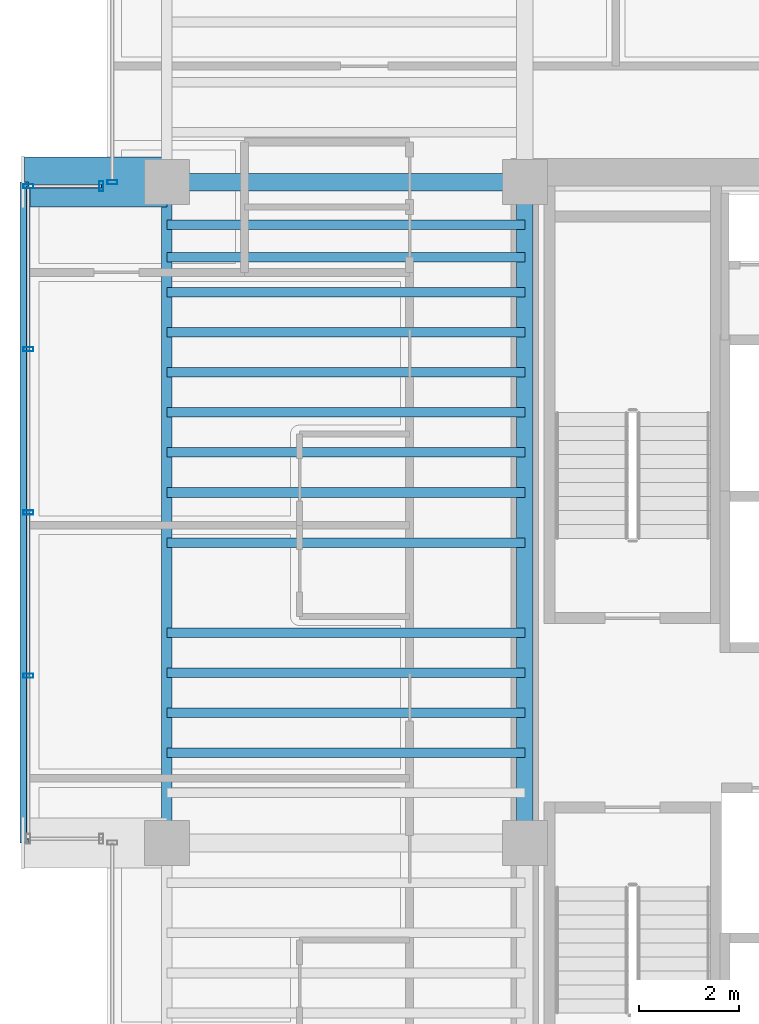
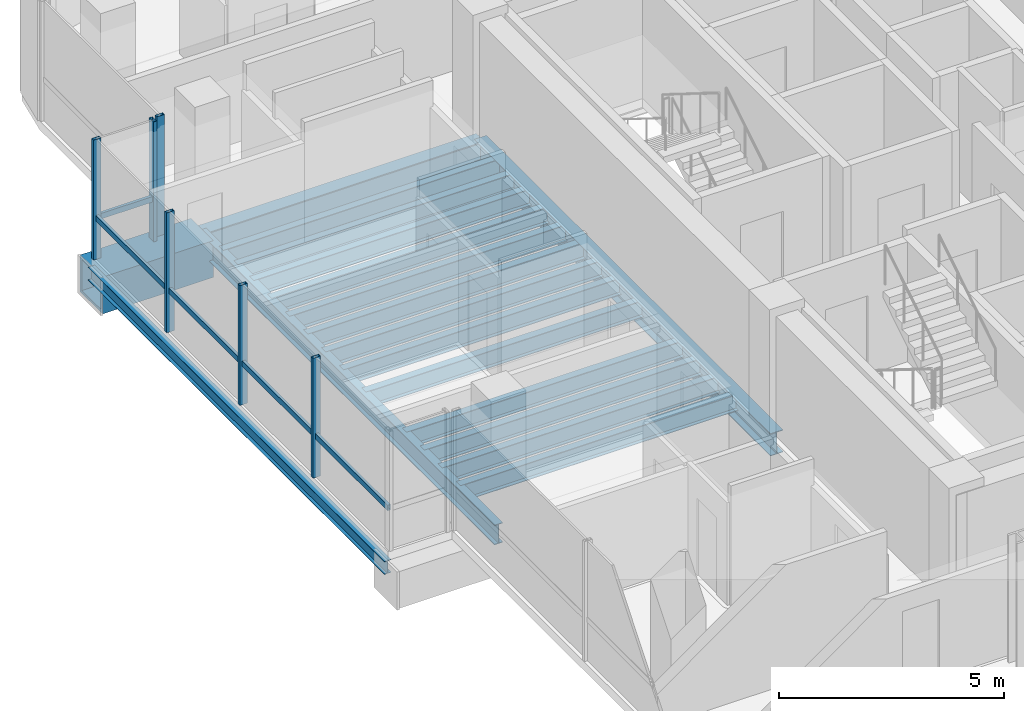
# One storey, part 7 of 22: 18 beams, 8 members, 3 elements without a shape of their own.
"""IFC4 building model written with IfcOpenShell, lengths in metres."""

from ifc_helpers import new_model, si_unit, direction, frame, origin, origin_2d, place, context, subcontext, project, spatial, hollow_rectangle, i_section, extrude, source, transform, mapped, material, material_profile, profile_set, type_object, element, aggregate, save


model = new_model("IFC4")

# Units and contexts
model_context = context("Model", 3, precision=1e-05, world=origin(), true_north=direction((0.0, 1.0)))
body_context = subcontext(model_context, "Body", "Model", "MODEL_VIEW")
ifc_project = project(units=[si_unit("LENGTHUNIT", "METRE"), si_unit("AREAUNIT", "SQUARE_METRE"), si_unit("VOLUMEUNIT", "CUBIC_METRE"), si_unit("PLANEANGLEUNIT", "RADIAN"), si_unit("MASSUNIT", "GRAM", prefix="KILO")], contexts=[model_context])

# Site, building, storey
site_placement = place(None, origin())
site = spatial("IfcSite", under=ifc_project, at=site_placement, CompositionType="ELEMENT")
building_placement = place(site_placement, origin())
building = spatial("IfcBuilding", under=site, at=building_placement, Name="Valdorenza Pilgrim Sanctuary Tower", CompositionType="ELEMENT")
storey_placement = place(building_placement, frame((0.0, 0.0, 212.5)))
storey = spatial("IfcBuildingStorey", under=building, at=storey_placement, Name="L54", CompositionType="ELEMENT", Elevation=212.5)

# Beams
ifc_material_1 = material(Name="Steel ASTM A992 Grade 50", Category="steel")
ifc_material_profile_1 = material_profile(ifc_material_1, i_section(OverallWidth=0.323974609375, OverallDepth=0.611083984375, WebThickness=0.0126953125, FlangeThickness=0.01904296875, at=origin_2d()), Name="W24X104")
ifc_profile_set_1 = profile_set([ifc_material_profile_1], Name="Steel ASTM A992 Grade 50")
beam_type_1 = type_object("IfcBeamType", Name="STR-BM-GRD-W24B", PredefinedType="BEAM", material=ifc_profile_set_1)
shared_shape_1 = source(origin(), body_context, "Body", "SweptSolid", [
    extrude(i_section(OverallWidth=0.323974609375, OverallDepth=0.611083984375, WebThickness=0.0126953125, FlangeThickness=0.01904296875, at=origin_2d()), origin(), (0.0, 0.0, 1.0), 13.2001953125),
])
beam_1_placement = place(storey_placement, frame((-22.64990234375, -2.60009765625, -0.54541015625), z_axis=(0.0, 1.0, 0.0), x_axis=(-1.0, 0.0, 0.0)))
element("IfcBeam", 1, at=beam_1_placement, inside=storey, type_object=beam_type_1, Name="L54 Core Tie Girder CA-W-M0N1", PredefinedType="BEAM", context=body_context, shape_type="MappedRepresentation", body=[
    mapped(shared_shape_1, transform((0.0, 0.0, 0.0), x_axis=(1.0, 0.0, 0.0), y_axis=(0.0, 1.0, 0.0), z_axis=(0.0, 0.0, 1.0), scale=1.0)),
])
ifc_material_profile_2 = material_profile(ifc_material_1, i_section(OverallWidth=0.1708984375, OverallDepth=0.35107421875, WebThickness=0.0068359375, FlangeThickness=0.009765625, at=origin_2d()), Name="W14X30")
ifc_profile_set_2 = profile_set([ifc_material_profile_2], Name="Steel ASTM A992 Grade 50")
beam_type_2 = type_object("IfcBeamType", Name="STR-BM-BOX-W14", PredefinedType="BEAM", material=ifc_profile_set_2)
shared_shape_2 = source(origin(), body_context, "Body", "SweptSolid", [
    extrude(i_section(OverallWidth=0.1708984375, OverallDepth=0.35107421875, WebThickness=0.0068359375, FlangeThickness=0.009765625, at=origin_2d()), origin(), (0.0, 0.0, 1.0), 13.2001953125),
])
beam_2_placement = place(storey_placement, frame((-32.64990234375, -2.60009765625, -0.41552734375), z_axis=(0.0, 1.0, 0.0), x_axis=(-1.0, 0.0, 0.0)))
element("IfcBeam", 2, at=beam_2_placement, inside=storey, type_object=beam_type_2, Name="L54 Glass Box Edge Beam BOX-WA-L54-F", PredefinedType="BEAM", context=body_context, shape_type="MappedRepresentation", body=[
    mapped(shared_shape_2, transform((0.0, 0.0, 0.0), x_axis=(1.0, 0.0, 0.0), y_axis=(0.0, 1.0, 0.0), z_axis=(0.0, 0.0, 1.0), scale=1.0)),
])
ifc_material_profile_3 = material_profile(ifc_material_1, i_section(OverallWidth=0.19091796875, OverallDepth=0.45703125, WebThickness=0.009033203125, FlangeThickness=0.014404296875, at=origin_2d()), Name="W18X50")
ifc_profile_set_3 = profile_set([ifc_material_profile_3], Name="Steel ASTM A992 Grade 50")
beam_type_3 = type_object("IfcBeamType", Name="STR-BM-JST-W18B", PredefinedType="JOIST", material=ifc_profile_set_3)
shared_shape_3 = source(origin(), body_context, "Body", "SweptSolid", [
    extrude(i_section(OverallWidth=0.19091796875, OverallDepth=0.45703125, WebThickness=0.009033203125, FlangeThickness=0.014404296875, at=origin_2d()), origin(), (0.0, 0.0, 1.0), 7.150146484375),
])
for number, where, z_axis, x_axis, name in (
    (3, (-29.800048828125, -0.800048828125, -0.468505859375), (1.0, 0.0, 0.0), (0.0, 1.0, 0.0), "L54 Composite Floor Joist JST-WA-11"),
    (4, (-29.800048828125, 0.0, -0.468505859375), (1.0, 0.0, 0.0), (0.0, 1.0, 0.0), "L54 Composite Floor Joist JST-WA-12"),
    (5, (-29.800048828125, 0.800048828125, -0.468505859375), (1.0, 0.0, 0.0), (0.0, 1.0, 0.0), "L54 Composite Floor Joist JST-WA-13"),
    (6, (-29.800048828125, 1.60009765625, -0.468505859375), (1.0, 0.0, 0.0), (0.0, 1.0, 0.0), "L54 Composite Floor Joist JST-WA-14"),
    (7, (-29.800048828125, 3.39990234375, -0.468505859375), (1.0, 0.0, 0.0), (0.0, 1.0, 0.0), "L54 Composite Floor Joist JST-WA-15"),
    (8, (-29.800048828125, 4.39990234375, -0.468505859375), (1.0, 0.0, 0.0), (0.0, 1.0, 0.0), "L54 Composite Floor Joist JST-WA-16"),
    (9, (-29.800048828125, 5.199951171875, -0.468505859375), (1.0, 0.0, 0.0), (0.0, 1.0, 0.0), "L54 Composite Floor Joist JST-WA-17"),
    (10, (-29.800048828125, 6.0, -0.468505859375), (1.0, 0.0, 0.0), (0.0, 1.0, 0.0), "L54 Composite Floor Joist JST-WA-18"),
    (11, (-29.800048828125, 6.800048828125, -0.468505859375), (1.0, 0.0, 0.0), (0.0, 1.0, 0.0), "L54 Composite Floor Joist JST-WA-19"),
    (12, (-29.800048828125, 7.60009765625, -0.468505859375), (1.0, 0.0, 0.0), (0.0, 1.0, 0.0), "L54 Composite Floor Joist JST-WA-20"),
    (13, (-29.800048828125, 8.39990234375, -0.468505859375), (1.0, 0.0, 0.0), (0.0, 1.0, 0.0), "L54 Composite Floor Joist JST-WA-21"),
    (14, (-29.800048828125, 9.10009765625, -0.468505859375), (1.0, 0.0, 0.0), (0.0, 1.0, 0.0), "L54 Composite Floor Joist JST-WA-22"),
    (15, (-29.800048828125, 9.75, -0.468505859375), (1.0, 0.0, 0.0), (0.0, 1.0, 0.0), "L54 Composite Floor Joist JST-WA-23"),
):
    element("IfcBeam", number, at=place(storey_placement, frame(where, z_axis=z_axis, x_axis=x_axis)), inside=storey, type_object=beam_type_3, Name=name, PredefinedType="JOIST", context=body_context, shape_type="MappedRepresentation", body=[
        mapped(shared_shape_3, transform((0.0, 0.0, 0.0), x_axis=(1.0, 0.0, 0.0), y_axis=(0.0, 1.0, 0.0), z_axis=(0.0, 0.0, 1.0), scale=1.0)),
    ])
ifc_material_2 = material(Name="Steel ASTM A572 Grade 42", Category="steel")
ifc_material_profile_4 = material_profile(ifc_material_2, hollow_rectangle(XDim=1.0, YDim=1.0, WallThickness=0.080078125, at=origin_2d()), Name="BOX 1000x1000x80")
ifc_profile_set_4 = profile_set([ifc_material_profile_4], Name="Steel ASTM A572 Grade 42")
beam_type_4 = type_object("IfcBeamType", Name="STR-BM-PROW-CANT", PredefinedType="BEAM", material=ifc_profile_set_4)
shared_shape_4 = source(origin(), body_context, "Body", "SweptSolid", [
    extrude(hollow_rectangle(XDim=1.0, YDim=1.0, WallThickness=0.080078125, at=origin_2d()), origin(), (0.0, 0.0, 1.0), 2.849853515625),
])
beam_3_placement = place(storey_placement, frame((-29.800048828125, 10.60009765625, -0.739990234375), z_axis=(-1.0, 0.0, 0.0), x_axis=(0.0, -1.0, 0.0)))
element("IfcBeam", 16, at=beam_3_placement, inside=storey, type_object=beam_type_4, Name="L54 Glass Box Cantilever Beam BOX-WA-L54-CT-N", PredefinedType="BEAM", context=body_context, shape_type="MappedRepresentation", body=[
    mapped(shared_shape_4, transform((0.0, 0.0, 0.0), x_axis=(1.0, 0.0, 0.0), y_axis=(0.0, 1.0, 0.0), z_axis=(0.0, 0.0, 1.0), scale=1.0)),
])
ifc_material_profile_5 = material_profile(ifc_material_1, i_section(OverallWidth=0.2109375, OverallDepth=0.5390625, WebThickness=0.01171875, FlangeThickness=0.018798828125, at=origin_2d()), Name="W21X73")
ifc_profile_set_5 = profile_set([ifc_material_profile_5], Name="Steel ASTM A992 Grade 50")
beam_type_5 = type_object("IfcBeamType", Name="STR-BM-SPN-W21B", PredefinedType="SPANDREL", material=ifc_profile_set_5)
shared_shape_5 = source(origin(), body_context, "Body", "SweptSolid", [
    extrude(i_section(OverallWidth=0.2109375, OverallDepth=0.5390625, WebThickness=0.01171875, FlangeThickness=0.018798828125, at=origin_2d()), origin(), (0.0, 0.0, 1.0), 13.2001953125),
])
beam_4_placement = place(storey_placement, frame((-29.800048828125, -2.60009765625, -0.509521484375), z_axis=(0.0, 1.0, 0.0), x_axis=(-1.0, 0.0, 0.0)))
element("IfcBeam", 17, at=beam_4_placement, inside=storey, type_object=beam_type_5, Name="L54 Spandrel Beam WA-W-M0N1", PredefinedType="SPANDREL", context=body_context, shape_type="MappedRepresentation", body=[
    mapped(shared_shape_5, transform((0.0, 0.0, 0.0), x_axis=(1.0, 0.0, 0.0), y_axis=(0.0, 1.0, 0.0), z_axis=(0.0, 0.0, 1.0), scale=1.0)),
])
ifc_material_profile_6 = material_profile(ifc_material_1, i_section(OverallWidth=0.35595703125, OverallDepth=0.700927734375, WebThickness=0.016845703125, FlangeThickness=0.02734375, at=origin_2d()), Name="W27X161")
ifc_profile_set_6 = profile_set([ifc_material_profile_6], Name="Steel ASTM A992 Grade 50")
beam_type_6 = type_object("IfcBeamType", Name="STR-BM-GRD-W27", PredefinedType="BEAM", material=ifc_profile_set_6)
shared_shape_6 = source(origin(), body_context, "Body", "SweptSolid", [
    extrude(i_section(OverallWidth=0.35595703125, OverallDepth=0.700927734375, WebThickness=0.016845703125, FlangeThickness=0.02734375, at=origin_2d()), origin(), (0.0, 0.0, 1.0), 7.150146484375),
])
beam_5_placement = place(storey_placement, frame((-29.800048828125, 10.60009765625, -0.590576171875), z_axis=(1.0, 0.0, 0.0), x_axis=(0.0, 1.0, 0.0)))
element("IfcBeam", 18, at=beam_5_placement, inside=storey, type_object=beam_type_6, Name="L54 Floor Girder WA-XW-N1", PredefinedType="BEAM", context=body_context, shape_type="MappedRepresentation", body=[
    mapped(shared_shape_6, transform((0.0, 0.0, 0.0), x_axis=(1.0, 0.0, 0.0), y_axis=(0.0, 1.0, 0.0), z_axis=(0.0, 0.0, 1.0), scale=1.0)),
])

# Curtain wall, member
ifc_material_3 = material(Name="Curtain-wall IGU glazing", Category="glass")
curtain_wall_type = type_object("IfcCurtainWallType", Name="CW-SYS-02", PredefinedType="NOTDEFINED", material=ifc_material_3)
curtain_wall_1_placement = place(storey_placement, origin())
curtain_wall_1 = element("IfcCurtainWall", 19, at=curtain_wall_1_placement, inside=storey, type_object=curtain_wall_type, Name="L54 Curtain Wall CW-L54-BOX-WA-L54-N", PredefinedType="NOTDEFINED")
ifc_material_4 = material(Name="Anodised aluminium AW-6060", Category="aluminium")
ifc_material_profile_7 = material_profile(ifc_material_4, hollow_rectangle(XDim=0.074951171875, YDim=0.14990234375, WallThickness=0.00390625, at=origin_2d()), Name="ALU-T 150x75x4")
ifc_profile_set_7 = profile_set([ifc_material_profile_7], Name="Anodised aluminium AW-6060")
member_type_1 = type_object("IfcMemberType", Name="CW-TRN-02", PredefinedType="USERDEFINED", material=ifc_profile_set_7)
shared_shape_7 = source(origin(), body_context, "Body", "SweptSolid", [
    extrude(hollow_rectangle(XDim=0.074951171875, YDim=0.14990234375, WallThickness=0.00390625, at=origin_2d()), origin(), (0.0, 0.0, 1.0), 1.4599609375),
])
member_1_placement = place(storey_placement, frame((-32.570068359375, 10.52001953125, 1.1201171875), z_axis=(1.0, 0.0, 0.0), x_axis=(0.0, 1.0, 0.0)))
member_1 = element("IfcMember", 20, at=member_1_placement, type_object=member_type_1, Name="CW-L54-BOX-WA-L54-N Transom 1", ObjectType="TRANSOM", PredefinedType="USERDEFINED", context=body_context, shape_type="MappedRepresentation", body=[
    mapped(shared_shape_7, transform((0.0, 0.0, 0.0), x_axis=(1.0, 0.0, 0.0), y_axis=(0.0, 1.0, 0.0), z_axis=(0.0, 0.0, 1.0), scale=1.0)),
])

curtain_wall_2_placement = place(storey_placement, origin())
curtain_wall_2 = element("IfcCurtainWall", 21, at=curtain_wall_2_placement, inside=storey, type_object=curtain_wall_type, Name="L54 Curtain Wall CW-L54-BOX-WA-L54-F", PredefinedType="NOTDEFINED")
shared_shape_8 = source(origin(), body_context, "Body", "SweptSolid", [
    extrude(hollow_rectangle(XDim=0.074951171875, YDim=0.14990234375, WallThickness=0.00390625, at=origin_2d()), origin(), (0.0, 0.0, 1.0), 13.0400390625),
])
member_2_placement = place(storey_placement, frame((-32.570068359375, -2.52001953125, 1.1201171875), z_axis=(0.0, 1.0, 0.0), x_axis=(-1.0, 0.0, 0.0)))
member_2 = element("IfcMember", 22, at=member_2_placement, type_object=member_type_1, Name="CW-L54-BOX-WA-L54-F Transom 1", ObjectType="TRANSOM", PredefinedType="USERDEFINED", context=body_context, shape_type="MappedRepresentation", body=[
    mapped(shared_shape_8, transform((0.0, 0.0, 0.0), x_axis=(1.0, 0.0, 0.0), y_axis=(0.0, 1.0, 0.0), z_axis=(0.0, 0.0, 1.0), scale=1.0)),
])

curtain_wall_3_placement = place(storey_placement, origin())
curtain_wall_3 = element("IfcCurtainWall", 23, at=curtain_wall_3_placement, inside=storey, type_object=curtain_wall_type, Name="L54 Curtain Wall CW-L54-1-1S2", PredefinedType="NOTDEFINED")
ifc_material_profile_8 = material_profile(ifc_material_4, hollow_rectangle(XDim=0.0849609375, YDim=0.199951171875, WallThickness=0.0048828125, at=origin_2d()), Name="ALU-M 200x85x5")
ifc_profile_set_8 = profile_set([ifc_material_profile_8], Name="Anodised aluminium AW-6060")
member_type_2 = type_object("IfcMemberType", Name="CW-MUL-02", PredefinedType="MULLION", material=ifc_profile_set_8)
shared_shape_9 = source(origin(), body_context, "Body", "SweptSolid", [
    extrude(hollow_rectangle(XDim=0.0849609375, YDim=0.199951171875, WallThickness=0.0048828125, at=origin_2d()), origin(), (0.0, 0.0, 1.0), 3.260009765625),
])
member_3_placement = place(storey_placement, frame((-30.889892578125, 10.60009765625, 0.0), z_axis=(0.0, 0.0, 1.0), x_axis=(0.0, 1.0, 0.0)))
member_3 = element("IfcMember", 24, at=member_3_placement, type_object=member_type_2, Name="CW-L54-1-1S2 Mullion 1", PredefinedType="MULLION", context=body_context, shape_type="MappedRepresentation", body=[
    mapped(shared_shape_9, transform((0.0, 0.0, 0.0), x_axis=(1.0, 0.0, 0.0), y_axis=(0.0, 1.0, 0.0), z_axis=(0.0, 0.0, 1.0), scale=1.0)),
])
aggregate(curtain_wall_3, [member_3])

# Member
member_4_placement = place(storey_placement, frame((-32.570068359375, 0.739990234375, 0.0), z_axis=(0.0, 0.0, 1.0), x_axis=(0.0, 1.0, 0.0)))
member_4 = element("IfcMember", 25, at=member_4_placement, type_object=member_type_2, Name="CW-L54-BOX-WA-L54-F Mullion 2", PredefinedType="MULLION", context=body_context, shape_type="MappedRepresentation", body=[
    mapped(shared_shape_9, transform((0.0, 0.0, 0.0), x_axis=(1.0, 0.0, 0.0), y_axis=(0.0, 1.0, 0.0), z_axis=(0.0, 0.0, 1.0), scale=1.0)),
])

member_5_placement = place(storey_placement, frame((-32.570068359375, 4.0, 0.0), z_axis=(0.0, 0.0, 1.0), x_axis=(0.0, 1.0, 0.0)))
member_5 = element("IfcMember", 26, at=member_5_placement, type_object=member_type_2, Name="CW-L54-BOX-WA-L54-F Mullion 3", PredefinedType="MULLION", context=body_context, shape_type="MappedRepresentation", body=[
    mapped(shared_shape_9, transform((0.0, 0.0, 0.0), x_axis=(1.0, 0.0, 0.0), y_axis=(0.0, 1.0, 0.0), z_axis=(0.0, 0.0, 1.0), scale=1.0)),
])

member_6_placement = place(storey_placement, frame((-32.570068359375, 7.260009765625, 0.0), z_axis=(0.0, 0.0, 1.0), x_axis=(0.0, 1.0, 0.0)))
member_6 = element("IfcMember", 27, at=member_6_placement, type_object=member_type_2, Name="CW-L54-BOX-WA-L54-F Mullion 4", PredefinedType="MULLION", context=body_context, shape_type="MappedRepresentation", body=[
    mapped(shared_shape_9, transform((0.0, 0.0, 0.0), x_axis=(1.0, 0.0, 0.0), y_axis=(0.0, 1.0, 0.0), z_axis=(0.0, 0.0, 1.0), scale=1.0)),
])

member_7_placement = place(storey_placement, frame((-32.570068359375, 10.52001953125, 0.0), z_axis=(0.0, 0.0, 1.0), x_axis=(0.0, 1.0, 0.0)))
member_7 = element("IfcMember", 28, at=member_7_placement, type_object=member_type_2, Name="CW-L54-BOX-WA-L54-F Mullion 5", PredefinedType="MULLION", context=body_context, shape_type="MappedRepresentation", body=[
    mapped(shared_shape_9, transform((0.0, 0.0, 0.0), x_axis=(1.0, 0.0, 0.0), y_axis=(0.0, 1.0, 0.0), z_axis=(0.0, 0.0, 1.0), scale=1.0)),
])

aggregate(curtain_wall_2, [member_4, member_5, member_6, member_7, member_2])

member_8_placement = place(storey_placement, frame((-31.110107421875, 10.52001953125, 0.0), z_axis=(0.0, 0.0, 1.0), x_axis=(1.0, 0.0, 0.0)))
member_8 = element("IfcMember", 29, at=member_8_placement, type_object=member_type_2, Name="CW-L54-BOX-WA-L54-N Mullion 2", PredefinedType="MULLION", context=body_context, shape_type="MappedRepresentation", body=[
    mapped(shared_shape_9, transform((0.0, 0.0, 0.0), x_axis=(1.0, 0.0, 0.0), y_axis=(0.0, 1.0, 0.0), z_axis=(0.0, 0.0, 1.0), scale=1.0)),
])

aggregate(curtain_wall_1, [member_8, member_1])

save(model, "model.ifc")
